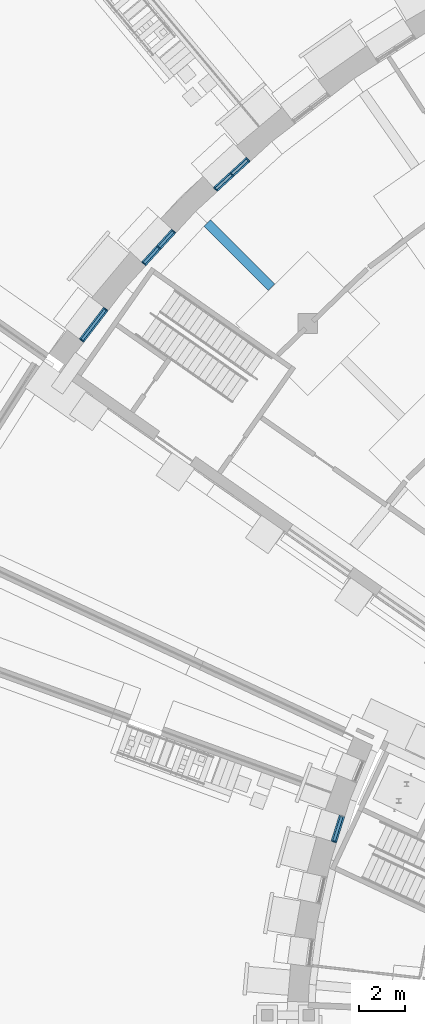
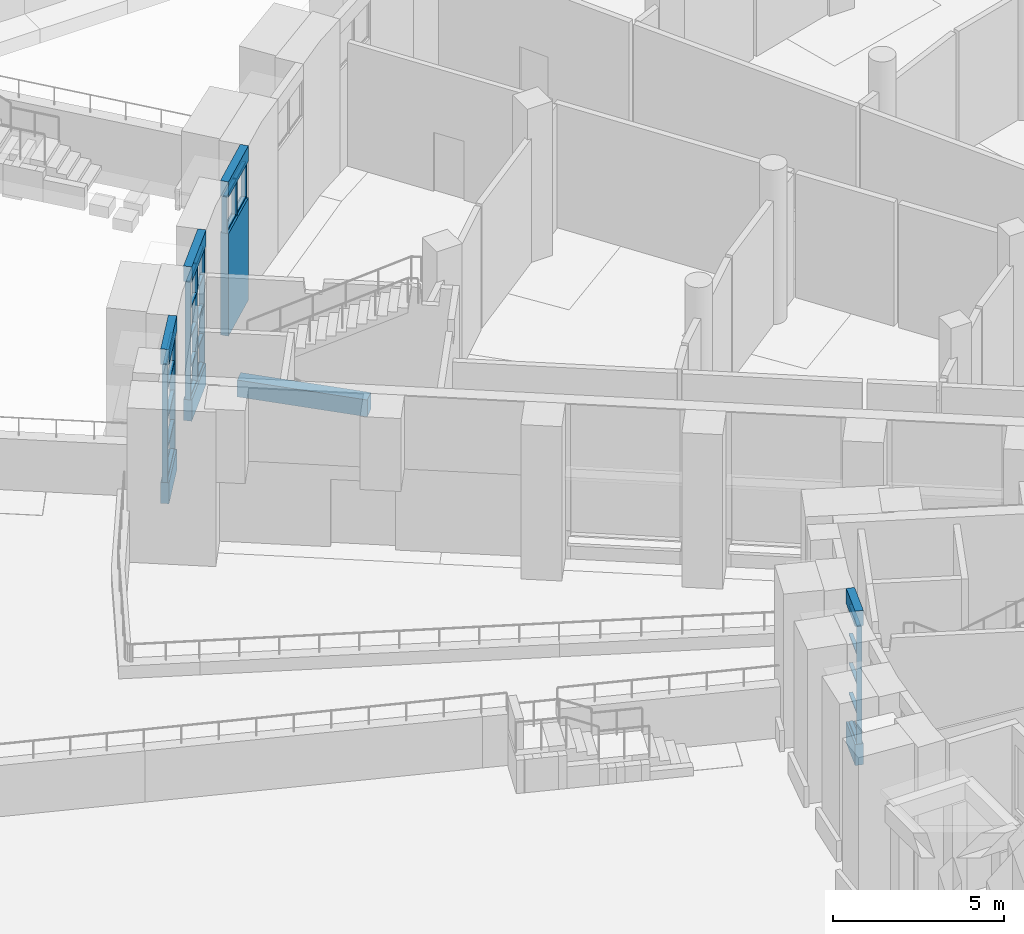
# One storey, part 20 of 65: 33 members, 9 beams, 4 elements without a shape of their own.
"""IFC4 building model written with IfcOpenShell, lengths in metres."""

from ifc_helpers import new_model, si_unit, direction, frame, origin, origin_2d, place, context, subcontext, project, spatial, rectangle, extrude, material, layer, layer_set, material_profile, profile_set, type_object, element, aggregate, save


model = new_model("IFC4")

# Units and contexts
model_context = context("Model", 3, precision=1e-05, world=origin(), true_north=direction((0.0, 1.0)))
body_context = subcontext(model_context, "Body", "Model", "MODEL_VIEW")
ifc_project = project(units=[si_unit("LENGTHUNIT", "METRE"), si_unit("AREAUNIT", "SQUARE_METRE"), si_unit("VOLUMEUNIT", "CUBIC_METRE"), si_unit("PLANEANGLEUNIT", "RADIAN"), si_unit("MASSUNIT", "GRAM", prefix="KILO")], contexts=[model_context])

# Site, building, storey
site_placement = place(None, origin())
site = spatial("IfcSite", under=ifc_project, at=site_placement, CompositionType="ELEMENT")
building_placement = place(site_placement, origin())
building = spatial("IfcBuilding", under=site, at=building_placement, Name="Volute Hill Aquarium", CompositionType="ELEMENT")
storey_placement = place(building_placement, frame((0.0, 0.0, -5.5)))
storey = spatial("IfcBuildingStorey", under=building, at=storey_placement, Name="L00", CompositionType="ELEMENT", Elevation=-5.5)

# Curtain wall, member
ifc_material_1 = material(Name="Aluminium", Category="aluminium")
ifc_layer_1 = layer(ifc_material_1, 0.25)
ifc_layer_set_1 = layer_set([ifc_layer_1], Name="Curtain wall niche S1 module 1193")
curtain_wall_type_1 = type_object("IfcCurtainWallType", Name="Curtain wall niche S1 module 1193", PredefinedType="NOTDEFINED", material=ifc_layer_set_1)
curtain_wall_1_placement = place(storey_placement, origin())
curtain_wall_1 = element("IfcCurtainWall", 1, at=curtain_wall_1_placement, inside=storey, type_object=curtain_wall_type_1, Name="Curtain wall CW S1 L00 2", PredefinedType="NOTDEFINED")
ifc_material_2 = material(Name="Aluminium", Category="aluminium")
ifc_material_profile_1 = material_profile(ifc_material_2, rectangle(XDim=0.14990234375, YDim=0.050048828125, at=origin_2d()), Name="Curtain wall mullion S1 50x150")
ifc_profile_set_1 = profile_set([ifc_material_profile_1], Name="Aluminium")
member_type_1 = type_object("IfcMemberType", Name="Curtain wall mullion S1 50x150", PredefinedType="MULLION", material=ifc_profile_set_1)
member_1_placement = place(storey_placement, frame((-30.1611328125, 8.910400390625, 0.75), z_axis=(0.0, 0.0, 1.0), x_axis=(0.953718126577, -0.300702070227, 0.0)))
member_1 = element("IfcMember", 2, at=member_1_placement, type_object=member_type_1, Name="CW mullion 2", PredefinedType="MULLION", context=body_context, shape_type="SweptSolid", body=[
    extrude(rectangle(XDim=0.14990234375, YDim=0.050048828125, at=origin_2d()), origin(), (0.0, 0.0, 1.0), 4.199951171875),
])

# Curtain wall, members
ifc_material_3 = material(Name="Aluminium", Category="aluminium")
ifc_layer_2 = layer(ifc_material_3, 0.25)
ifc_layer_set_2 = layer_set([ifc_layer_2], Name="Curtain wall niche S6 module 967")
curtain_wall_type_2 = type_object("IfcCurtainWallType", Name="Curtain wall niche S6 module 967", PredefinedType="NOTDEFINED", material=ifc_layer_set_2)
curtain_wall_2_placement = place(storey_placement, origin())
curtain_wall_2 = element("IfcCurtainWall", 3, at=curtain_wall_2_placement, inside=storey, type_object=curtain_wall_type_2, Name="Curtain wall CW S6 L00 8", PredefinedType="NOTDEFINED")
ifc_material_4 = material(Name="Aluminium", Category="aluminium")
ifc_material_profile_2 = material_profile(ifc_material_4, rectangle(XDim=0.169921875, YDim=0.050048828125, at=origin_2d()), Name="Curtain wall mullion S6 50x170")
ifc_profile_set_2 = profile_set([ifc_material_profile_2], Name="Aluminium")
member_type_2 = type_object("IfcMemberType", Name="Curtain wall mullion S6 50x170", PredefinedType="MULLION", material=ifc_profile_set_2)
member_2_placement = place(storey_placement, frame((-33.879638671875, 38.3671875, 3.64990234375), z_axis=(0.0, 0.0, 1.0), x_axis=(0.675582007635, -0.737284850624, 0.0)))
member_2 = element("IfcMember", 4, at=member_2_placement, type_object=member_type_2, Name="CW mullion 1", PredefinedType="MULLION", context=body_context, shape_type="SweptSolid", body=[
    extrude(rectangle(XDim=0.169921875, YDim=0.050048828125, at=origin_2d()), origin(), (0.0, 0.0, 1.0), 1.300048828125),
])
member_3_placement = place(storey_placement, frame((-34.573974609375, 37.73095703125, 3.64990234375), z_axis=(0.0, 0.0, 1.0), x_axis=(0.675582007635, -0.737284850624, 0.0)))
member_3 = element("IfcMember", 5, at=member_3_placement, type_object=member_type_2, Name="CW mullion 2", PredefinedType="MULLION", context=body_context, shape_type="SweptSolid", body=[
    extrude(rectangle(XDim=0.169921875, YDim=0.050048828125, at=origin_2d()), origin(), (0.0, 0.0, 1.0), 1.300048828125),
])
member_4_placement = place(storey_placement, frame((-35.268310546875, 37.094482421875, 3.64990234375), z_axis=(0.0, 0.0, 1.0), x_axis=(0.675582007635, -0.737284850624, 0.0)))
member_4 = element("IfcMember", 6, at=member_4_placement, type_object=member_type_2, Name="CW mullion 3", PredefinedType="MULLION", context=body_context, shape_type="SweptSolid", body=[
    extrude(rectangle(XDim=0.169921875, YDim=0.050048828125, at=origin_2d()), origin(), (0.0, 0.0, 1.0), 1.300048828125),
])

curtain_wall_3_placement = place(storey_placement, origin())
curtain_wall_3 = element("IfcCurtainWall", 7, at=curtain_wall_3_placement, inside=storey, type_object=curtain_wall_type_2, Name="Curtain wall CW S6 L00 9", PredefinedType="NOTDEFINED")
member_5_placement = place(storey_placement, frame((-37.094482421875, 35.268310546875, 0.75), z_axis=(0.0, 0.0, 1.0), x_axis=(0.737284850624, -0.675582007635, 0.0)))
member_5 = element("IfcMember", 8, at=member_5_placement, type_object=member_type_2, Name="CW mullion 1", PredefinedType="MULLION", context=body_context, shape_type="SweptSolid", body=[
    extrude(rectangle(XDim=0.169921875, YDim=0.050048828125, at=origin_2d()), origin(), (0.0, 0.0, 1.0), 4.199951171875),
])
member_6_placement = place(storey_placement, frame((-37.73095703125, 34.573974609375, 0.75), z_axis=(0.0, 0.0, 1.0), x_axis=(0.737284850624, -0.675582007635, 0.0)))
member_6 = element("IfcMember", 9, at=member_6_placement, type_object=member_type_2, Name="CW mullion 2", PredefinedType="MULLION", context=body_context, shape_type="SweptSolid", body=[
    extrude(rectangle(XDim=0.169921875, YDim=0.050048828125, at=origin_2d()), origin(), (0.0, 0.0, 1.0), 4.199951171875),
])
member_7_placement = place(storey_placement, frame((-38.3671875, 33.879638671875, 0.75), z_axis=(0.0, 0.0, 1.0), x_axis=(0.737284850624, -0.675582007635, 0.0)))
member_7 = element("IfcMember", 10, at=member_7_placement, type_object=member_type_2, Name="CW mullion 3", PredefinedType="MULLION", context=body_context, shape_type="SweptSolid", body=[
    extrude(rectangle(XDim=0.169921875, YDim=0.050048828125, at=origin_2d()), origin(), (0.0, 0.0, 1.0), 4.199951171875),
])

ifc_material_5 = material(Name="Aluminium", Category="aluminium")
ifc_layer_3 = layer(ifc_material_5, 0.25)
ifc_layer_set_3 = layer_set([ifc_layer_3], Name="Curtain wall niche S6 module 1734")
curtain_wall_type_3 = type_object("IfcCurtainWallType", Name="Curtain wall niche S6 module 1734", PredefinedType="NOTDEFINED", material=ifc_layer_set_3)
curtain_wall_4_placement = place(storey_placement, origin())
curtain_wall_4 = element("IfcCurtainWall", 11, at=curtain_wall_4_placement, inside=storey, type_object=curtain_wall_type_3, Name="Curtain wall CW S6 L00 10", PredefinedType="NOTDEFINED")
member_8_placement = place(storey_placement, frame((-40.02734375, 31.901123046875, 0.75), z_axis=(0.0, 0.0, 1.0), x_axis=(0.79334910739, -0.608766945394, 0.0)))
member_8 = element("IfcMember", 12, at=member_8_placement, type_object=member_type_2, Name="CW mullion 1", PredefinedType="MULLION", context=body_context, shape_type="SweptSolid", body=[
    extrude(rectangle(XDim=0.169921875, YDim=0.050048828125, at=origin_2d()), origin(), (0.0, 0.0, 1.0), 4.199951171875),
])
member_9_placement = place(storey_placement, frame((-41.052001953125, 30.5654296875, 0.75), z_axis=(0.0, 0.0, 1.0), x_axis=(0.79334910739, -0.608766945394, 0.0)))
member_9 = element("IfcMember", 13, at=member_9_placement, type_object=member_type_2, Name="CW mullion 2", PredefinedType="MULLION", context=body_context, shape_type="SweptSolid", body=[
    extrude(rectangle(XDim=0.169921875, YDim=0.050048828125, at=origin_2d()), origin(), (0.0, 0.0, 1.0), 4.199951171875),
])

# Member
ifc_material_6 = material(Name="Aluminium", Category="aluminium")
ifc_material_profile_3 = material_profile(ifc_material_6, rectangle(XDim=0.1201171875, YDim=0.050048828125, at=origin_2d()), Name="Curtain wall transom S1 50x120")
ifc_profile_set_3 = profile_set([ifc_material_profile_3], Name="Aluminium")
member_type_3 = type_object("IfcMemberType", Name="Curtain wall transom S1 50x120", PredefinedType="USERDEFINED", material=ifc_profile_set_3)
member_10_placement = place(storey_placement, frame((-29.824951171875, 9.976806640625, 0.77490234375), z_axis=(-0.300639603165, -0.953737819848, 0.0), x_axis=(0.953737819848, -0.300639603165, 0.0)))
member_10 = element("IfcMember", 14, at=member_10_placement, type_object=member_type_3, Name="CW transom 1.1", ObjectType="TRANSOM", PredefinedType="USERDEFINED", context=body_context, shape_type="SweptSolid", body=[
    extrude(rectangle(XDim=0.1201171875, YDim=0.050048828125, at=origin_2d()), origin(), (0.0, 0.0, 1.0), 1.093017578125),
])

member_11_placement = place(storey_placement, frame((-29.824951171875, 9.976806640625, 1.800048828125), z_axis=(-0.300639603165, -0.953737819848, 0.0), x_axis=(0.953737819848, -0.300639603165, 0.0)))
member_11 = element("IfcMember", 15, at=member_11_placement, type_object=member_type_3, Name="CW transom 1.2", ObjectType="TRANSOM", PredefinedType="USERDEFINED", context=body_context, shape_type="SweptSolid", body=[
    extrude(rectangle(XDim=0.1201171875, YDim=0.050048828125, at=origin_2d()), origin(), (0.0, 0.0, 1.0), 1.093017578125),
])

member_12_placement = place(storey_placement, frame((-29.824951171875, 9.976806640625, 2.85009765625), z_axis=(-0.300639603165, -0.953737819848, 0.0), x_axis=(0.953737819848, -0.300639603165, 0.0)))
member_12 = element("IfcMember", 16, at=member_12_placement, type_object=member_type_3, Name="CW transom 1.3", ObjectType="TRANSOM", PredefinedType="USERDEFINED", context=body_context, shape_type="SweptSolid", body=[
    extrude(rectangle(XDim=0.1201171875, YDim=0.050048828125, at=origin_2d()), origin(), (0.0, 0.0, 1.0), 1.093017578125),
])

member_13_placement = place(storey_placement, frame((-29.824951171875, 9.976806640625, 3.89990234375), z_axis=(-0.300639603165, -0.953737819848, 0.0), x_axis=(0.953737819848, -0.300639603165, 0.0)))
member_13 = element("IfcMember", 17, at=member_13_placement, type_object=member_type_3, Name="CW transom 1.4", ObjectType="TRANSOM", PredefinedType="USERDEFINED", context=body_context, shape_type="SweptSolid", body=[
    extrude(rectangle(XDim=0.1201171875, YDim=0.050048828125, at=origin_2d()), origin(), (0.0, 0.0, 1.0), 1.093017578125),
])

member_14_placement = place(storey_placement, frame((-29.824951171875, 9.976806640625, 4.925048828125), z_axis=(-0.300639603165, -0.953737819848, 0.0), x_axis=(0.953737819848, -0.300639603165, 0.0)))
member_14 = element("IfcMember", 18, at=member_14_placement, type_object=member_type_3, Name="CW transom 1.5", ObjectType="TRANSOM", PredefinedType="USERDEFINED", context=body_context, shape_type="SweptSolid", body=[
    extrude(rectangle(XDim=0.1201171875, YDim=0.050048828125, at=origin_2d()), origin(), (0.0, 0.0, 1.0), 1.093017578125),
])

aggregate(curtain_wall_1, [member_1, member_10, member_11, member_12, member_13, member_14])

ifc_material_7 = material(Name="Aluminium", Category="aluminium")
ifc_material_profile_4 = material_profile(ifc_material_7, rectangle(XDim=0.1201171875, YDim=0.050048828125, at=origin_2d()), Name="Curtain wall transom S6 50x120")
ifc_profile_set_4 = profile_set([ifc_material_profile_4], Name="Aluminium")
member_type_4 = type_object("IfcMemberType", Name="Curtain wall transom S6 50x120", PredefinedType="USERDEFINED", material=ifc_profile_set_4)
member_15_placement = place(storey_placement, frame((-33.89794921875, 38.350341796875, 3.675048828125), z_axis=(-0.737358609817, -0.67550150298, 0.0), x_axis=(0.67550150298, -0.737358609817, 0.0)))
member_15 = element("IfcMember", 19, at=member_15_placement, type_object=member_type_4, Name="CW transom 1.1", ObjectType="TRANSOM", PredefinedType="USERDEFINED", context=body_context, shape_type="SweptSolid", body=[
    extrude(rectangle(XDim=0.1201171875, YDim=0.050048828125, at=origin_2d()), origin(), (0.0, 0.0, 1.0), 0.89208984375),
])

member_16_placement = place(storey_placement, frame((-33.89794921875, 38.350341796875, 4.925048828125), z_axis=(-0.737358609817, -0.67550150298, 0.0), x_axis=(0.67550150298, -0.737358609817, 0.0)))
member_16 = element("IfcMember", 20, at=member_16_placement, type_object=member_type_4, Name="CW transom 1.2", ObjectType="TRANSOM", PredefinedType="USERDEFINED", context=body_context, shape_type="SweptSolid", body=[
    extrude(rectangle(XDim=0.1201171875, YDim=0.050048828125, at=origin_2d()), origin(), (0.0, 0.0, 1.0), 0.89208984375),
])

member_17_placement = place(storey_placement, frame((-34.592529296875, 37.714111328125, 3.675048828125), z_axis=(-0.737097330145, -0.675786597894, 0.0), x_axis=(0.675786597894, -0.737097330145, 0.0)))
member_17 = element("IfcMember", 21, at=member_17_placement, type_object=member_type_4, Name="CW transom 2.1", ObjectType="TRANSOM", PredefinedType="USERDEFINED", context=body_context, shape_type="SweptSolid", body=[
    extrude(rectangle(XDim=0.1201171875, YDim=0.050048828125, at=origin_2d()), origin(), (0.0, 0.0, 1.0), 0.89208984375),
])

member_18_placement = place(storey_placement, frame((-34.592529296875, 37.714111328125, 4.925048828125), z_axis=(-0.737097330145, -0.675786597894, 0.0), x_axis=(0.675786597894, -0.737097330145, 0.0)))
member_18 = element("IfcMember", 22, at=member_18_placement, type_object=member_type_4, Name="CW transom 2.2", ObjectType="TRANSOM", PredefinedType="USERDEFINED", context=body_context, shape_type="SweptSolid", body=[
    extrude(rectangle(XDim=0.1201171875, YDim=0.050048828125, at=origin_2d()), origin(), (0.0, 0.0, 1.0), 0.89208984375),
])

aggregate(curtain_wall_2, [member_2, member_3, member_4, member_15, member_16, member_17, member_18])

member_19_placement = place(storey_placement, frame((-37.111328125, 35.25, 0.77490234375), z_axis=(-0.675786597894, -0.737097330145, 0.0), x_axis=(0.737097330145, -0.675786597894, 0.0)))
member_19 = element("IfcMember", 23, at=member_19_placement, type_object=member_type_4, Name="CW transom 1.1", ObjectType="TRANSOM", PredefinedType="USERDEFINED", context=body_context, shape_type="SweptSolid", body=[
    extrude(rectangle(XDim=0.1201171875, YDim=0.050048828125, at=origin_2d()), origin(), (0.0, 0.0, 1.0), 0.89208984375),
])

member_20_placement = place(storey_placement, frame((-37.111328125, 35.25, 1.800048828125), z_axis=(-0.675786597894, -0.737097330145, 0.0), x_axis=(0.737097330145, -0.675786597894, 0.0)))
member_20 = element("IfcMember", 24, at=member_20_placement, type_object=member_type_4, Name="CW transom 1.2", ObjectType="TRANSOM", PredefinedType="USERDEFINED", context=body_context, shape_type="SweptSolid", body=[
    extrude(rectangle(XDim=0.1201171875, YDim=0.050048828125, at=origin_2d()), origin(), (0.0, 0.0, 1.0), 0.89208984375),
])

member_21_placement = place(storey_placement, frame((-37.111328125, 35.25, 2.85009765625), z_axis=(-0.675786597894, -0.737097330145, 0.0), x_axis=(0.737097330145, -0.675786597894, 0.0)))
member_21 = element("IfcMember", 25, at=member_21_placement, type_object=member_type_4, Name="CW transom 1.3", ObjectType="TRANSOM", PredefinedType="USERDEFINED", context=body_context, shape_type="SweptSolid", body=[
    extrude(rectangle(XDim=0.1201171875, YDim=0.050048828125, at=origin_2d()), origin(), (0.0, 0.0, 1.0), 0.89208984375),
])

member_22_placement = place(storey_placement, frame((-37.111328125, 35.25, 3.89990234375), z_axis=(-0.675786597894, -0.737097330145, 0.0), x_axis=(0.737097330145, -0.675786597894, 0.0)))
member_22 = element("IfcMember", 26, at=member_22_placement, type_object=member_type_4, Name="CW transom 1.4", ObjectType="TRANSOM", PredefinedType="USERDEFINED", context=body_context, shape_type="SweptSolid", body=[
    extrude(rectangle(XDim=0.1201171875, YDim=0.050048828125, at=origin_2d()), origin(), (0.0, 0.0, 1.0), 0.89208984375),
])

member_23_placement = place(storey_placement, frame((-37.111328125, 35.25, 4.925048828125), z_axis=(-0.675786597894, -0.737097330145, 0.0), x_axis=(0.737097330145, -0.675786597894, 0.0)))
member_23 = element("IfcMember", 27, at=member_23_placement, type_object=member_type_4, Name="CW transom 1.5", ObjectType="TRANSOM", PredefinedType="USERDEFINED", context=body_context, shape_type="SweptSolid", body=[
    extrude(rectangle(XDim=0.1201171875, YDim=0.050048828125, at=origin_2d()), origin(), (0.0, 0.0, 1.0), 0.89208984375),
])

member_24_placement = place(storey_placement, frame((-37.747802734375, 34.5556640625, 0.77490234375), z_axis=(-0.67550150298, -0.737358609817, 0.0), x_axis=(0.737358609817, -0.67550150298, 0.0)))
member_24 = element("IfcMember", 28, at=member_24_placement, type_object=member_type_4, Name="CW transom 2.1", ObjectType="TRANSOM", PredefinedType="USERDEFINED", context=body_context, shape_type="SweptSolid", body=[
    extrude(rectangle(XDim=0.1201171875, YDim=0.050048828125, at=origin_2d()), origin(), (0.0, 0.0, 1.0), 0.89208984375),
])

member_25_placement = place(storey_placement, frame((-37.747802734375, 34.5556640625, 1.800048828125), z_axis=(-0.67550150298, -0.737358609817, 0.0), x_axis=(0.737358609817, -0.67550150298, 0.0)))
member_25 = element("IfcMember", 29, at=member_25_placement, type_object=member_type_4, Name="CW transom 2.2", ObjectType="TRANSOM", PredefinedType="USERDEFINED", context=body_context, shape_type="SweptSolid", body=[
    extrude(rectangle(XDim=0.1201171875, YDim=0.050048828125, at=origin_2d()), origin(), (0.0, 0.0, 1.0), 0.89208984375),
])

member_26_placement = place(storey_placement, frame((-37.747802734375, 34.5556640625, 2.85009765625), z_axis=(-0.67550150298, -0.737358609817, 0.0), x_axis=(0.737358609817, -0.67550150298, 0.0)))
member_26 = element("IfcMember", 30, at=member_26_placement, type_object=member_type_4, Name="CW transom 2.3", ObjectType="TRANSOM", PredefinedType="USERDEFINED", context=body_context, shape_type="SweptSolid", body=[
    extrude(rectangle(XDim=0.1201171875, YDim=0.050048828125, at=origin_2d()), origin(), (0.0, 0.0, 1.0), 0.89208984375),
])

member_27_placement = place(storey_placement, frame((-37.747802734375, 34.5556640625, 3.89990234375), z_axis=(-0.67550150298, -0.737358609817, 0.0), x_axis=(0.737358609817, -0.67550150298, 0.0)))
member_27 = element("IfcMember", 31, at=member_27_placement, type_object=member_type_4, Name="CW transom 2.4", ObjectType="TRANSOM", PredefinedType="USERDEFINED", context=body_context, shape_type="SweptSolid", body=[
    extrude(rectangle(XDim=0.1201171875, YDim=0.050048828125, at=origin_2d()), origin(), (0.0, 0.0, 1.0), 0.89208984375),
])

member_28_placement = place(storey_placement, frame((-37.747802734375, 34.5556640625, 4.925048828125), z_axis=(-0.67550150298, -0.737358609817, 0.0), x_axis=(0.737358609817, -0.67550150298, 0.0)))
member_28 = element("IfcMember", 32, at=member_28_placement, type_object=member_type_4, Name="CW transom 2.5", ObjectType="TRANSOM", PredefinedType="USERDEFINED", context=body_context, shape_type="SweptSolid", body=[
    extrude(rectangle(XDim=0.1201171875, YDim=0.050048828125, at=origin_2d()), origin(), (0.0, 0.0, 1.0), 0.89208984375),
])

aggregate(curtain_wall_3, [member_5, member_6, member_7, member_19, member_20, member_21, member_22, member_23, member_24, member_25, member_26, member_27, member_28])

member_29_placement = place(storey_placement, frame((-40.04248046875, 31.88134765625, 0.77490234375), z_axis=(-0.608764095787, -0.793351293993, 0.0), x_axis=(0.793351293993, -0.608764095787, 0.0)))
member_29 = element("IfcMember", 33, at=member_29_placement, type_object=member_type_4, Name="CW transom 1.1", ObjectType="TRANSOM", PredefinedType="USERDEFINED", context=body_context, shape_type="SweptSolid", body=[
    extrude(rectangle(XDim=0.1201171875, YDim=0.050048828125, at=origin_2d()), origin(), (0.0, 0.0, 1.0), 1.633544921875),
])

member_30_placement = place(storey_placement, frame((-40.04248046875, 31.88134765625, 1.800048828125), z_axis=(-0.608764095787, -0.793351293993, 0.0), x_axis=(0.793351293993, -0.608764095787, 0.0)))
member_30 = element("IfcMember", 34, at=member_30_placement, type_object=member_type_4, Name="CW transom 1.2", ObjectType="TRANSOM", PredefinedType="USERDEFINED", context=body_context, shape_type="SweptSolid", body=[
    extrude(rectangle(XDim=0.1201171875, YDim=0.050048828125, at=origin_2d()), origin(), (0.0, 0.0, 1.0), 1.633544921875),
])

member_31_placement = place(storey_placement, frame((-40.04248046875, 31.88134765625, 2.85009765625), z_axis=(-0.608764095787, -0.793351293993, 0.0), x_axis=(0.793351293993, -0.608764095787, 0.0)))
member_31 = element("IfcMember", 35, at=member_31_placement, type_object=member_type_4, Name="CW transom 1.3", ObjectType="TRANSOM", PredefinedType="USERDEFINED", context=body_context, shape_type="SweptSolid", body=[
    extrude(rectangle(XDim=0.1201171875, YDim=0.050048828125, at=origin_2d()), origin(), (0.0, 0.0, 1.0), 1.633544921875),
])

member_32_placement = place(storey_placement, frame((-40.04248046875, 31.88134765625, 3.89990234375), z_axis=(-0.608764095787, -0.793351293993, 0.0), x_axis=(0.793351293993, -0.608764095787, 0.0)))
member_32 = element("IfcMember", 36, at=member_32_placement, type_object=member_type_4, Name="CW transom 1.4", ObjectType="TRANSOM", PredefinedType="USERDEFINED", context=body_context, shape_type="SweptSolid", body=[
    extrude(rectangle(XDim=0.1201171875, YDim=0.050048828125, at=origin_2d()), origin(), (0.0, 0.0, 1.0), 1.633544921875),
])

member_33_placement = place(storey_placement, frame((-40.04248046875, 31.88134765625, 4.925048828125), z_axis=(-0.608764095787, -0.793351293993, 0.0), x_axis=(0.793351293993, -0.608764095787, 0.0)))
member_33 = element("IfcMember", 37, at=member_33_placement, type_object=member_type_4, Name="CW transom 1.5", ObjectType="TRANSOM", PredefinedType="USERDEFINED", context=body_context, shape_type="SweptSolid", body=[
    extrude(rectangle(XDim=0.1201171875, YDim=0.050048828125, at=origin_2d()), origin(), (0.0, 0.0, 1.0), 1.633544921875),
])

aggregate(curtain_wall_4, [member_8, member_9, member_29, member_30, member_31, member_32, member_33])

# Beams
ifc_material_8 = material(Name="Concrete C35/45", Category="concrete")
ifc_material_profile_5 = material_profile(ifc_material_8, rectangle(XDim=0.25, YDim=0.550048828125, at=origin_2d()), Name="RC beam 250x550")
ifc_profile_set_5 = profile_set([ifc_material_profile_5], Name="Concrete C35/45")
beam_type_1 = type_object("IfcBeamType", Name="Niche head beam RC 250x550 C35/45", PredefinedType="BEAM", material=ifc_profile_set_5)
beam_1_placement = place(storey_placement, frame((-29.81005859375, 10.0244140625, 5.22509765625), z_axis=(-0.300651374737, -0.953734109104, 0.0), x_axis=(0.953734109104, -0.300651374737, 0.0)))
element("IfcBeam", 38, at=beam_1_placement, inside=storey, type_object=beam_type_1, Name="Niche head beam OWB S1 L00 2", PredefinedType="BEAM", context=body_context, shape_type="SweptSolid", body=[
    extrude(rectangle(XDim=0.25, YDim=0.550048828125, at=origin_2d()), origin(), (0.0, 0.0, 1.0), 1.19287109375),
])
for number, where, z_axis, x_axis, name in (
    (39, (-33.861083984375, 38.384033203125, 5.22509765625), (-0.73730085884, -0.675564536927, 0.0), (0.675564536927, -0.73730085884, 0.0), "Niche head beam OWB S6 L00 8"),
    (40, (-37.07763671875, 35.286865234375, 5.22509765625), (-0.675564536927, -0.73730085884, 0.0), (0.73730085884, -0.675564536927, 0.0), "Niche head beam OWB S6 L00 9"),
):
    element("IfcBeam", number, at=place(storey_placement, frame(where, z_axis=z_axis, x_axis=x_axis)), inside=storey, type_object=beam_type_1, Name=name, PredefinedType="BEAM", context=body_context, shape_type="SweptSolid", body=[
        extrude(rectangle(XDim=0.25, YDim=0.550048828125, at=origin_2d()), origin(), (0.0, 0.0, 1.0), 1.933837890625),
    ])
beam_2_placement = place(storey_placement, frame((-40.011962890625, 31.9208984375, 5.22509765625), z_axis=(-0.608818785139, -0.79330932609, 0.0), x_axis=(0.79330932609, -0.608818785139, 0.0)))
element("IfcBeam", 41, at=beam_2_placement, inside=storey, type_object=beam_type_1, Name="Niche head beam OWB S6 L00 10", PredefinedType="BEAM", context=body_context, shape_type="SweptSolid", body=[
    extrude(rectangle(XDim=0.25, YDim=0.550048828125, at=origin_2d()), origin(), (0.0, 0.0, 1.0), 1.733642578125),
])
ifc_material_9 = material(Name="Concrete C35/45", Category="concrete")
ifc_material_profile_6 = material_profile(ifc_material_9, rectangle(XDim=0.25, YDim=3.64990234375, at=origin_2d()), Name="RC beam 250x3650")
ifc_profile_set_6 = profile_set([ifc_material_profile_6], Name="Concrete C35/45")
beam_type_2 = type_object("IfcBeamType", Name="Niche sill beam RC 250x3650 C35/45", PredefinedType="BEAM", material=ifc_profile_set_6)
beam_3_placement = place(storey_placement, frame((-33.861083984375, 38.384033203125, 1.824951171875), z_axis=(-0.73730085884, -0.675564536927, 0.0), x_axis=(0.675564536927, -0.73730085884, 0.0)))
element("IfcBeam", 42, at=beam_3_placement, inside=storey, type_object=beam_type_2, Name="Niche sill beam OWB S6 L00 8", PredefinedType="BEAM", context=body_context, shape_type="SweptSolid", body=[
    extrude(rectangle(XDim=0.25, YDim=3.64990234375, at=origin_2d()), origin(), (0.0, 0.0, 1.0), 1.933837890625),
])
ifc_material_10 = material(Name="Concrete C35/45", Category="concrete")
ifc_material_profile_7 = material_profile(ifc_material_10, rectangle(XDim=0.25, YDim=0.75, at=origin_2d()), Name="RC beam 250x750")
ifc_profile_set_7 = profile_set([ifc_material_profile_7], Name="Concrete C35/45")
beam_type_3 = type_object("IfcBeamType", Name="Niche sill beam RC 250x750 C35/45", PredefinedType="BEAM", material=ifc_profile_set_7)
beam_4_placement = place(storey_placement, frame((-29.81005859375, 10.0244140625, 0.375), z_axis=(-0.300651374737, -0.953734109104, 0.0), x_axis=(0.953734109104, -0.300651374737, 0.0)))
element("IfcBeam", 43, at=beam_4_placement, inside=storey, type_object=beam_type_3, Name="Niche sill beam OWB S1 L00 2", PredefinedType="BEAM", context=body_context, shape_type="SweptSolid", body=[
    extrude(rectangle(XDim=0.25, YDim=0.75, at=origin_2d()), origin(), (0.0, 0.0, 1.0), 1.19287109375),
])
beam_5_placement = place(storey_placement, frame((-37.07763671875, 35.286865234375, 0.375), z_axis=(-0.675564536927, -0.73730085884, 0.0), x_axis=(0.73730085884, -0.675564536927, 0.0)))
element("IfcBeam", 44, at=beam_5_placement, inside=storey, type_object=beam_type_3, Name="Niche sill beam OWB S6 L00 9", PredefinedType="BEAM", context=body_context, shape_type="SweptSolid", body=[
    extrude(rectangle(XDim=0.25, YDim=0.75, at=origin_2d()), origin(), (0.0, 0.0, 1.0), 1.933837890625),
])
beam_6_placement = place(storey_placement, frame((-40.011962890625, 31.9208984375, 0.375), z_axis=(-0.608818785139, -0.79330932609, 0.0), x_axis=(0.79330932609, -0.608818785139, 0.0)))
element("IfcBeam", 45, at=beam_6_placement, inside=storey, type_object=beam_type_3, Name="Niche sill beam OWB S6 L00 10", PredefinedType="BEAM", context=body_context, shape_type="SweptSolid", body=[
    extrude(rectangle(XDim=0.25, YDim=0.75, at=origin_2d()), origin(), (0.0, 0.0, 1.0), 1.733642578125),
])
ifc_material_11 = material(Name="Concrete C30/37", Category="concrete")
ifc_material_profile_8 = material_profile(ifc_material_11, rectangle(XDim=0.39990234375, YDim=0.60009765625, at=origin_2d()), Name="RC tie beam 400x600")
ifc_profile_set_8 = profile_set([ifc_material_profile_8], Name="Concrete C30/37")
beam_type_4 = type_object("IfcBeamType", Name="Tie beam 400x600 C30/37", PredefinedType="BEAM", material=ifc_profile_set_8)
beam_7_placement = place(storey_placement, frame((-32.8515625, 32.8515625, -0.75), z_axis=(-0.707106781187, 0.707106781187, 0.0), x_axis=(-0.707106781187, -0.707106781187, 0.0)))
element("IfcBeam", 46, at=beam_7_placement, inside=storey, type_object=beam_type_4, Name="tb/S6/L00/104", PredefinedType="BEAM", context=body_context, shape_type="SweptSolid", body=[
    extrude(rectangle(XDim=0.39990234375, YDim=0.60009765625, at=origin_2d()), origin(), (0.0, 0.0, 1.0), 3.931884765625),
])

save(model, "model.ifc")
